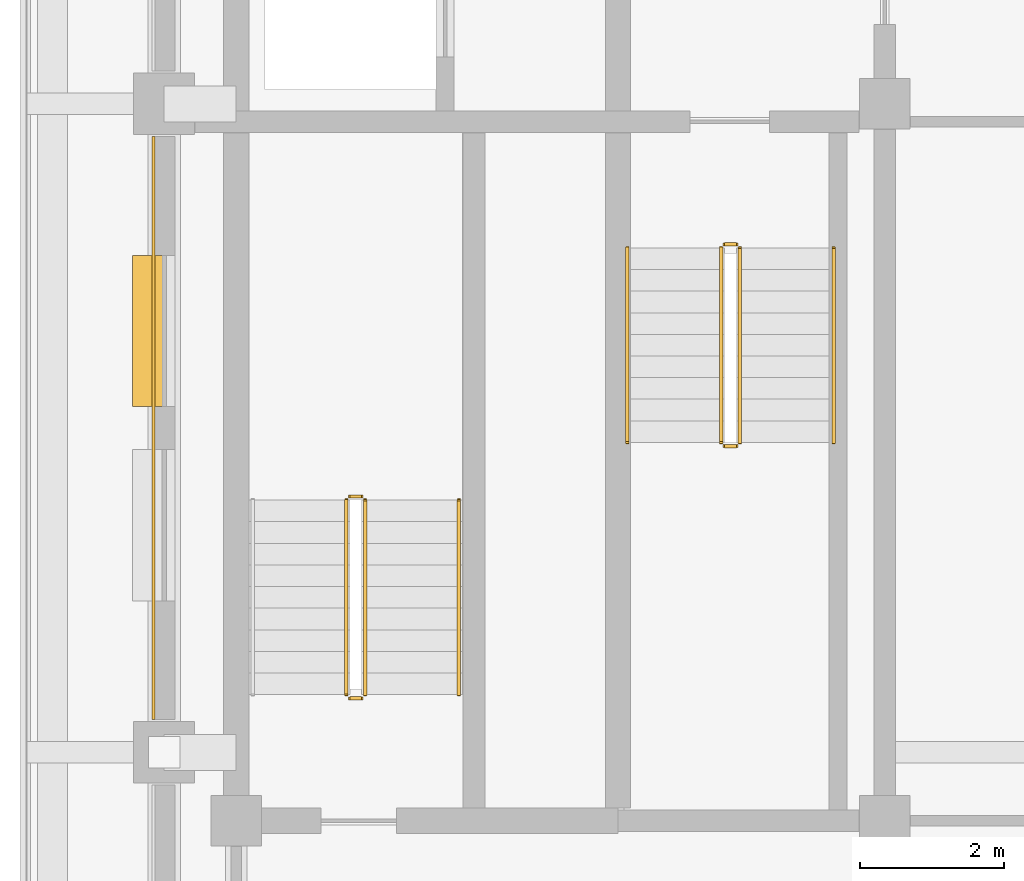
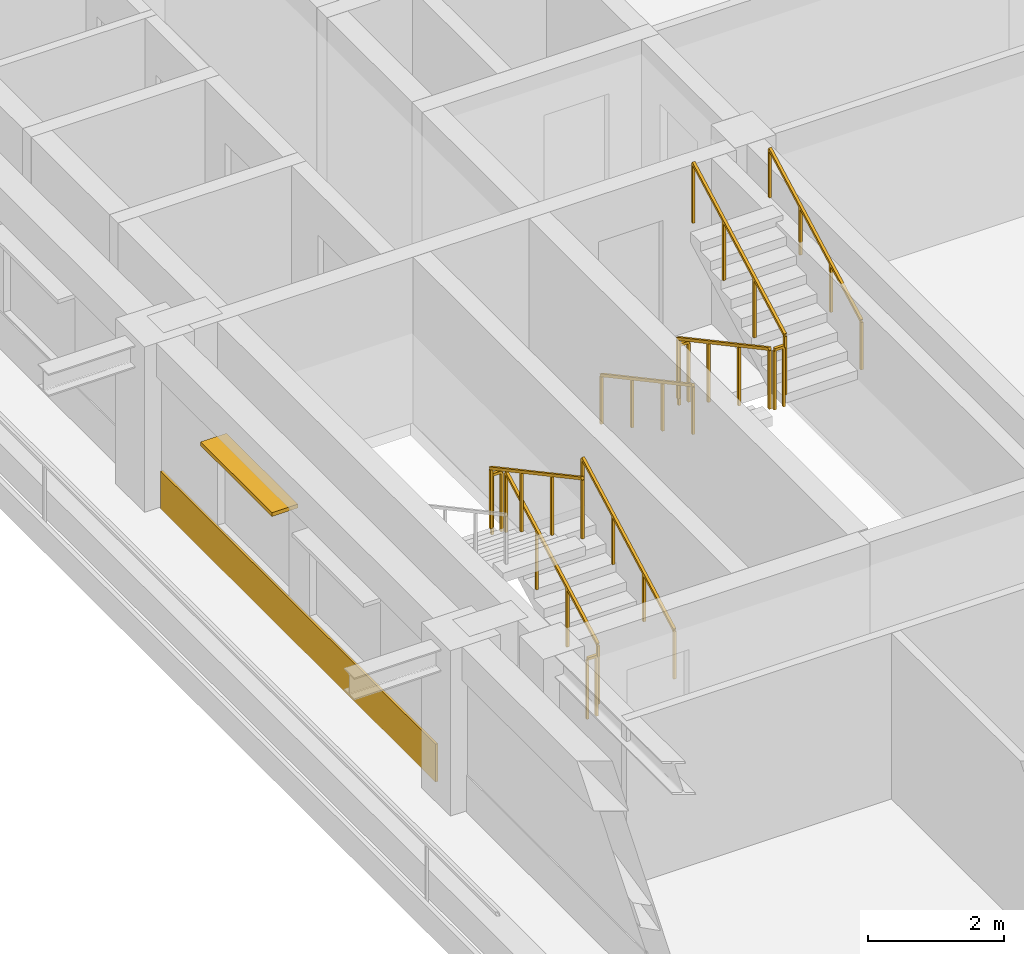
# One storey, part 8 of 11: 11 railings, 1 covering, 1 shading device.
"""IFC4 building model written with IfcOpenShell, lengths in metres."""

from ifc_helpers import new_model, si_unit, direction, frame, frame_2d, origin, origin_2d, place, context, subcontext, project, spatial, rectangle, extrude, material, layer, layer_set, type_object, element, save


model = new_model("IFC4")

# Units and contexts
model_context = context("Model", 3, precision=1e-05, world=origin(), true_north=direction((0.0, 1.0)))
body_context = subcontext(model_context, "Body", "Model", "MODEL_VIEW")
ifc_project = project(units=[si_unit("LENGTHUNIT", "METRE"), si_unit("AREAUNIT", "SQUARE_METRE"), si_unit("VOLUMEUNIT", "CUBIC_METRE"), si_unit("PLANEANGLEUNIT", "RADIAN"), si_unit("MASSUNIT", "GRAM", prefix="KILO")], contexts=[model_context])

# Site, building, storey
site_placement = place(None, origin())
site = spatial("IfcSite", under=ifc_project, at=site_placement, CompositionType="ELEMENT")
building_placement = place(site_placement, origin())
building = spatial("IfcBuilding", under=site, at=building_placement, Name="Zulmaris Gate Convention Tower", CompositionType="ELEMENT")
storey_placement = place(building_placement, frame((0.0, 0.0, 242.969970703125)))
storey = spatial("IfcBuildingStorey", under=building, at=storey_placement, Name="L64", CompositionType="ELEMENT", Elevation=242.969970703125)

# Covering
ifc_material_1 = material(Name="Precast concrete C40/50", Category="concrete")
ifc_layer_1 = layer(ifc_material_1, 0.0400390625, Name="Precast concrete C40/50")
ifc_layer_set_1 = layer_set([ifc_layer_1], Name="Precast concrete C40/50")
covering_type = type_object("IfcCoveringType", Name="CLAD-SPANDREL-PRECAST", PredefinedType="CLADDING", material=ifc_layer_set_1)
covering_placement = place(storey_placement, frame((-21.14990234375, -0.455078125, 0.0), z_axis=(0.0, 0.0, 1.0), x_axis=(0.0, -1.0, 0.0)))
element("IfcCovering", 1, at=covering_placement, inside=storey, type_object=covering_type, Name="CLD-L64-W-1_0", PredefinedType="CLADDING", context=body_context, shape_type="SweptSolid", body=[
    extrude(rectangle(XDim=8.08984375, YDim=0.0400390625, at=frame_2d((4.044921875, 0.0))), origin(), (0.0, 0.0, 1.0), 0.679931640625),
])

# Railings
ifc_material_2 = material(Name="Painted Galvanised Steel", Category="steel")
railing_type_1 = type_object("IfcRailingType", Name="RL-STG-1150", PredefinedType="GUARDRAIL", material=ifc_material_2)
railing_1_placement = place(storey_placement, frame((-13.27001953125, -2.0, 0.16162109375)))
element("IfcRailing", 2, at=railing_1_placement, inside=storey, type_object=railing_type_1, Name="L64 ST-1 stair guard 1", PredefinedType="GUARDRAIL", context=body_context, shape_type="SweptSolid", body=[
    extrude(rectangle(XDim=0.048095703125, YDim=0.048095703125, at=origin_2d()), frame((0.0, 0.0, 1.076171875), z_axis=(0.0, -0.880532452117, 0.47398586558), x_axis=(1.0, 0.0, 0.0)), (0.0, 0.0, 1.0), 3.066162109375),
    extrude(rectangle(XDim=0.0419921875, YDim=0.0419921875, at=origin_2d()), origin(), (0.0, 0.0, 1.0), 1.052001953125),
    extrude(rectangle(XDim=0.0419921875, YDim=0.0419921875, at=origin_2d()), frame((0.0, -0.89990234375, 0.484375)), (0.0, 0.0, 1.0), 1.052001953125),
    extrude(rectangle(XDim=0.0419921875, YDim=0.0419921875, at=origin_2d()), frame((0.0, -1.800048828125, 0.968994140625)), (0.0, 0.0, 1.0), 1.052001953125),
    extrude(rectangle(XDim=0.0419921875, YDim=0.0419921875, at=origin_2d()), frame((0.0, -2.699951171875, 1.453369140625)), (0.0, 0.0, 1.0), 1.052001953125),
])
railing_2_placement = place(storey_placement, frame((-13.219970703125, -4.75, 1.614990234375)))
element("IfcRailing", 3, at=railing_2_placement, inside=storey, type_object=railing_type_1, Name="L64 ST-1 stair guard 2", PredefinedType="GUARDRAIL", context=body_context, shape_type="SweptSolid", body=[
    extrude(rectangle(XDim=0.048095703125, YDim=0.048095703125, at=origin_2d()), frame((0.0, 0.0, 1.076171875), z_axis=(1.0, 0.0, 0.0), x_axis=(0.0, 1.0, 0.0)), (0.0, 0.0, 1.0), 0.159912109375),
    extrude(rectangle(XDim=0.0419921875, YDim=0.0419921875, at=origin_2d()), origin(), (0.0, 0.0, 1.0), 1.052001953125),
    extrude(rectangle(XDim=0.0419921875, YDim=0.0419921875, at=origin_2d()), frame((0.159912109375, 0.0, 0.0)), (0.0, 0.0, 1.0), 1.052001953125),
])
railing_3_placement = place(storey_placement, frame((-13.010009765625, -4.699951171875, 1.776611328125)))
element("IfcRailing", 4, at=railing_3_placement, inside=storey, type_object=railing_type_1, Name="L64 ST-1 stair guard 3", PredefinedType="GUARDRAIL", context=body_context, shape_type="SweptSolid", body=[
    extrude(rectangle(XDim=0.048095703125, YDim=0.048095703125, at=origin_2d()), frame((0.0, 0.0, 1.076171875), z_axis=(0.0, 0.880532452117, 0.47398586558), x_axis=(-1.0, 0.0, 0.0)), (0.0, 0.0, 1.0), 3.066162109375),
    extrude(rectangle(XDim=0.0419921875, YDim=0.0419921875, at=origin_2d()), origin(), (0.0, 0.0, 1.0), 1.052001953125),
    extrude(rectangle(XDim=0.0419921875, YDim=0.0419921875, at=origin_2d()), frame((0.0, 0.89990234375, 0.484375)), (0.0, 0.0, 1.0), 1.052001953125),
    extrude(rectangle(XDim=0.0419921875, YDim=0.0419921875, at=origin_2d()), frame((0.0, 1.800048828125, 0.968994140625)), (0.0, 0.0, 1.0), 1.052001953125),
    extrude(rectangle(XDim=0.0419921875, YDim=0.0419921875, at=origin_2d()), frame((0.0, 2.699951171875, 1.453369140625)), (0.0, 0.0, 1.0), 1.052001953125),
])
railing_4_placement = place(storey_placement, frame((-13.219970703125, -1.949951171875, 0.0)))
element("IfcRailing", 5, at=railing_4_placement, inside=storey, type_object=railing_type_1, Name="L64 ST-1 stair guard 4", PredefinedType="GUARDRAIL", context=body_context, shape_type="SweptSolid", body=[
    extrude(rectangle(XDim=0.048095703125, YDim=0.048095703125, at=origin_2d()), frame((0.0, 0.0, 1.076171875), z_axis=(1.0, 0.0, 0.0), x_axis=(0.0, 1.0, 0.0)), (0.0, 0.0, 1.0), 0.159912109375),
    extrude(rectangle(XDim=0.0419921875, YDim=0.0419921875, at=origin_2d()), origin(), (0.0, 0.0, 1.0), 1.052001953125),
    extrude(rectangle(XDim=0.0419921875, YDim=0.0419921875, at=origin_2d()), frame((0.159912109375, 0.0, 0.0)), (0.0, 0.0, 1.0), 1.052001953125),
])
railing_5_placement = place(storey_placement, frame((-18.2099609375, -8.199951171875, 0.16162109375)))
element("IfcRailing", 6, at=railing_5_placement, inside=storey, type_object=railing_type_1, Name="L64 ST-3 stair guard 1", PredefinedType="GUARDRAIL", context=body_context, shape_type="SweptSolid", body=[
    extrude(rectangle(XDim=0.048095703125, YDim=0.048095703125, at=origin_2d()), frame((0.0, 0.0, 1.076171875), z_axis=(0.0, 0.880532452117, 0.47398586558), x_axis=(-1.0, 0.0, 0.0)), (0.0, 0.0, 1.0), 3.066162109375),
    extrude(rectangle(XDim=0.0419921875, YDim=0.0419921875, at=origin_2d()), origin(), (0.0, 0.0, 1.0), 1.052001953125),
    extrude(rectangle(XDim=0.0419921875, YDim=0.0419921875, at=origin_2d()), frame((0.0, 0.89990234375, 0.484375)), (0.0, 0.0, 1.0), 1.052001953125),
    extrude(rectangle(XDim=0.0419921875, YDim=0.0419921875, at=origin_2d()), frame((0.0, 1.800048828125, 0.968994140625)), (0.0, 0.0, 1.0), 1.052001953125),
    extrude(rectangle(XDim=0.0419921875, YDim=0.0419921875, at=origin_2d()), frame((0.0, 2.699951171875, 1.453369140625)), (0.0, 0.0, 1.0), 1.052001953125),
])
railing_6_placement = place(storey_placement, frame((-18.260009765625, -5.449951171875, 1.614990234375)))
element("IfcRailing", 7, at=railing_6_placement, inside=storey, type_object=railing_type_1, Name="L64 ST-3 stair guard 2", PredefinedType="GUARDRAIL", context=body_context, shape_type="SweptSolid", body=[
    extrude(rectangle(XDim=0.048095703125, YDim=0.048095703125, at=origin_2d()), frame((0.0, 0.0, 1.076171875), z_axis=(-1.0, 0.0, 0.0), x_axis=(0.0, -1.0, 0.0)), (0.0, 0.0, 1.0), 0.159912109375),
    extrude(rectangle(XDim=0.0419921875, YDim=0.0419921875, at=origin_2d()), origin(), (0.0, 0.0, 1.0), 1.052001953125),
    extrude(rectangle(XDim=0.0419921875, YDim=0.0419921875, at=origin_2d()), frame((-0.159912109375, 0.0, 0.0)), (0.0, 0.0, 1.0), 1.052001953125),
])
railing_7_placement = place(storey_placement, frame((-18.469970703125, -5.5, 1.776611328125)))
element("IfcRailing", 8, at=railing_7_placement, inside=storey, type_object=railing_type_1, Name="L64 ST-3 stair guard 3", PredefinedType="GUARDRAIL", context=body_context, shape_type="SweptSolid", body=[
    extrude(rectangle(XDim=0.048095703125, YDim=0.048095703125, at=origin_2d()), frame((0.0, 0.0, 1.076171875), z_axis=(0.0, -0.880532452117, 0.47398586558), x_axis=(1.0, 0.0, 0.0)), (0.0, 0.0, 1.0), 3.066162109375),
    extrude(rectangle(XDim=0.0419921875, YDim=0.0419921875, at=origin_2d()), origin(), (0.0, 0.0, 1.0), 1.052001953125),
    extrude(rectangle(XDim=0.0419921875, YDim=0.0419921875, at=origin_2d()), frame((0.0, -0.89990234375, 0.484375)), (0.0, 0.0, 1.0), 1.052001953125),
    extrude(rectangle(XDim=0.0419921875, YDim=0.0419921875, at=origin_2d()), frame((0.0, -1.800048828125, 0.968994140625)), (0.0, 0.0, 1.0), 1.052001953125),
    extrude(rectangle(XDim=0.0419921875, YDim=0.0419921875, at=origin_2d()), frame((0.0, -2.699951171875, 1.453369140625)), (0.0, 0.0, 1.0), 1.052001953125),
])
railing_8_placement = place(storey_placement, frame((-18.260009765625, -8.25, 0.0)))
element("IfcRailing", 9, at=railing_8_placement, inside=storey, type_object=railing_type_1, Name="L64 ST-3 stair guard 4", PredefinedType="GUARDRAIL", context=body_context, shape_type="SweptSolid", body=[
    extrude(rectangle(XDim=0.048095703125, YDim=0.048095703125, at=origin_2d()), frame((0.0, 0.0, 1.076171875), z_axis=(-1.0, 0.0, 0.0), x_axis=(0.0, -1.0, 0.0)), (0.0, 0.0, 1.0), 0.159912109375),
    extrude(rectangle(XDim=0.0419921875, YDim=0.0419921875, at=origin_2d()), origin(), (0.0, 0.0, 1.0), 1.052001953125),
    extrude(rectangle(XDim=0.0419921875, YDim=0.0419921875, at=origin_2d()), frame((-0.159912109375, 0.0, 0.0)), (0.0, 0.0, 1.0), 1.052001953125),
])
ifc_material_3 = material(Name="Brushed Stainless Steel", Category="steel")
railing_type_2 = type_object("IfcRailingType", Name="RL-STH-900", PredefinedType="HANDRAIL", material=ifc_material_3)
railing_9_placement = place(storey_placement, frame((-14.570068359375, -2.0, 0.16162109375)))
element("IfcRailing", 10, at=railing_9_placement, inside=storey, type_object=railing_type_2, Name="L64 ST-1 stair handrail 1", PredefinedType="HANDRAIL", context=body_context, shape_type="SweptSolid", body=[
    extrude(rectangle(XDim=0.048095703125, YDim=0.048095703125, at=origin_2d()), frame((0.0, 0.0, 0.8759765625), z_axis=(0.0, -0.880532452117, 0.47398586558), x_axis=(1.0, 0.0, 0.0)), (0.0, 0.0, 1.0), 3.066162109375),
    extrude(rectangle(XDim=0.0419921875, YDim=0.0419921875, at=origin_2d()), origin(), (0.0, 0.0, 1.0), 0.851806640625),
    extrude(rectangle(XDim=0.0419921875, YDim=0.0419921875, at=origin_2d()), frame((0.0, -0.89990234375, 0.484375)), (0.0, 0.0, 1.0), 0.851806640625),
    extrude(rectangle(XDim=0.0419921875, YDim=0.0419921875, at=origin_2d()), frame((0.0, -1.800048828125, 0.968994140625)), (0.0, 0.0, 1.0), 0.851806640625),
    extrude(rectangle(XDim=0.0419921875, YDim=0.0419921875, at=origin_2d()), frame((0.0, -2.699951171875, 1.453369140625)), (0.0, 0.0, 1.0), 0.851806640625),
])
for number, where, name in (
    (11, (-11.7099609375, -4.699951171875, 1.776611328125), "L64 ST-1 stair handrail 2"),
    (12, (-16.909912109375, -8.199951171875, 0.16162109375), "L64 ST-3 stair handrail 1"),
):
    element("IfcRailing", number, at=place(storey_placement, frame(where)), inside=storey, type_object=railing_type_2, Name=name, PredefinedType="HANDRAIL", context=body_context, shape_type="SweptSolid", body=[
        extrude(rectangle(XDim=0.048095703125, YDim=0.048095703125, at=origin_2d()), frame((0.0, 0.0, 0.8759765625), z_axis=(0.0, 0.880532452117, 0.47398586558), x_axis=(-1.0, 0.0, 0.0)), (0.0, 0.0, 1.0), 3.066162109375),
        extrude(rectangle(XDim=0.0419921875, YDim=0.0419921875, at=origin_2d()), origin(), (0.0, 0.0, 1.0), 0.851806640625),
        extrude(rectangle(XDim=0.0419921875, YDim=0.0419921875, at=origin_2d()), frame((0.0, 0.89990234375, 0.484375)), (0.0, 0.0, 1.0), 0.851806640625),
        extrude(rectangle(XDim=0.0419921875, YDim=0.0419921875, at=origin_2d()), frame((0.0, 1.800048828125, 0.968994140625)), (0.0, 0.0, 1.0), 0.851806640625),
        extrude(rectangle(XDim=0.0419921875, YDim=0.0419921875, at=origin_2d()), frame((0.0, 2.699951171875, 1.453369140625)), (0.0, 0.0, 1.0), 0.851806640625),
    ])

# Shading device
ifc_material_4 = material(Name="Glazed Ceramic Terracotta", Category="masonry")
ifc_layer_2 = layer(ifc_material_4, 0.070068359375, Name="Glazed Ceramic Terracotta")
ifc_layer_set_2 = layer_set([ifc_layer_2], Name="Glazed Ceramic Terracotta")
shading_device_type = type_object("IfcShadingDeviceType", Name="SHD-SUNSHADE-TC", PredefinedType="AWNING", material=ifc_layer_set_2)
shading_device_placement = place(storey_placement, frame((-21.219970703125, -2.10205078125, 2.22998046875), z_axis=(0.0, 0.0, 1.0), x_axis=(0.0, -1.0, 0.0)))
element("IfcShadingDevice", 13, at=shading_device_placement, inside=storey, type_object=shading_device_type, Name="SHD-EW-L64-W-1_0-1", PredefinedType="AWNING", context=body_context, shape_type="SweptSolid", body=[
    extrude(rectangle(XDim=2.099853515625, YDim=0.43994140625, at=frame_2d((1.0498046875, 0.0))), origin(), (0.0, 0.0, 1.0), 0.070068359375),
])

save(model, "model.ifc")
